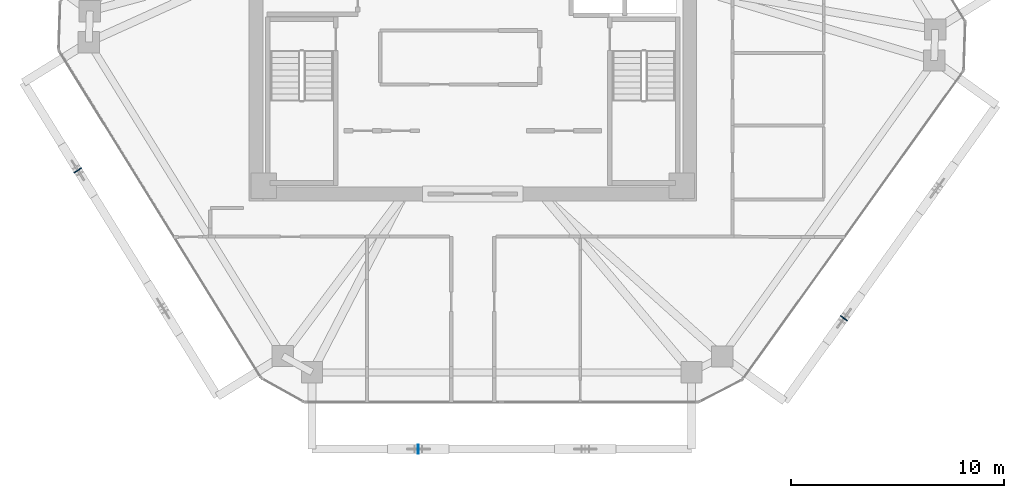
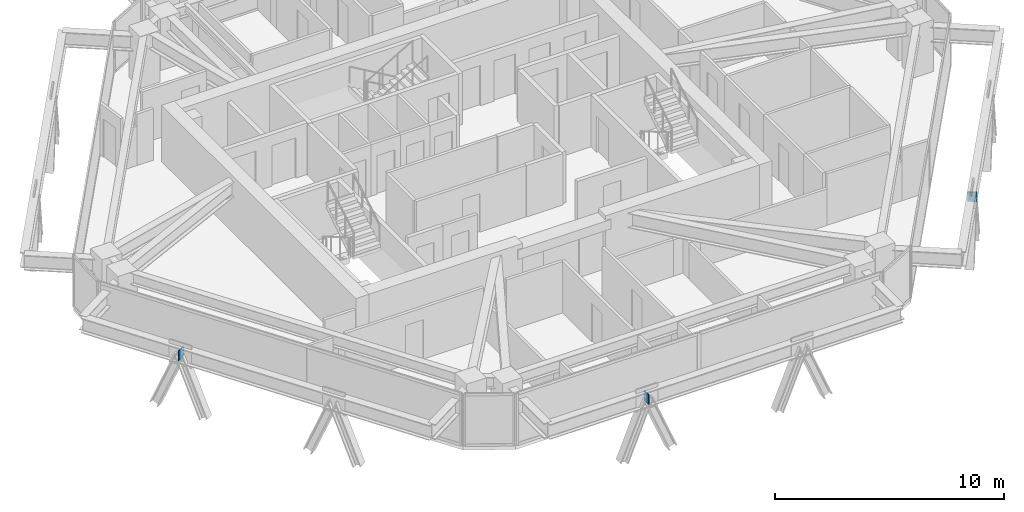
# One storey, part 8 of 15: 3 plates.
"""IFC4 building model written with IfcOpenShell, lengths in metres."""

import ifcopenshell
import ifcopenshell.guid

model = None  # the IFC model being written
_history = None  # IfcOwnerHistory: only IFC2X3 demands one
_inside = {}  # id of a spatial element -> (the spatial element, [elements in it])
_under = {}  # id of a project, library or spatial element -> (it, [spatial elements below it])
_declared = {}  # id of a project -> (the project, [libraries it declares])
_typed = {}  # id of a type object -> (the type object, [elements of that type])
_made_of = {}  # id of a material, layer set ... -> (it, [elements and type objects made of it])


def new_model(schema):
    """Start an empty IFC model of exactly this schema.

    Asked for "IFC4X3", IfcOpenShell would pick the latest addendum, in which some entities
    have other attributes; the version numbers below select the first issue.
    IFC2X3 requires an IfcOwnerHistory on every rooted entity: one is made here for all.
    """
    global model, _history
    if schema == "IFC4X3":
        model = ifcopenshell.file(schema_version=(4, 3, 0, 0))
    else:
        model = ifcopenshell.file(schema=schema)
    _inside.clear()
    _under.clear()
    _declared.clear()
    _typed.clear()
    _made_of.clear()
    _history = None
    if model.schema == "IFC2X3":
        org = make("IfcOrganization", Name="unknown")
        user = make(
            "IfcPersonAndOrganization",
            ThePerson=make("IfcPerson", FamilyName="unknown"),
            TheOrganization=org,
        )
        app = make(
            "IfcApplication",
            ApplicationDeveloper=org,
            Version="unknown",
            ApplicationFullName="unknown",
            ApplicationIdentifier="unknown",
        )
        _history = make(
            "IfcOwnerHistory",
            OwningUser=user,
            OwningApplication=app,
            ChangeAction="ADDED",
            CreationDate=0,
        )
    return model


def make(cls, **values):
    """One entity of the class cls with the attributes given. An attribute that is None is left unset."""
    return model.create_entity(
        cls, **{name: value for name, value in values.items() if value is not None}
    )


def rooted(cls, **values):
    """An entity with a GlobalId (a new one), such as an element, a storey or a relation."""
    return make(cls, GlobalId=ifcopenshell.guid.new(), OwnerHistory=_history, **values)


def si_unit(unit_type, name, prefix=None):
    """IfcSIUnit, for example si_unit("LENGTHUNIT", "METRE", prefix="MILLI")."""
    return make("IfcSIUnit", UnitType=unit_type, Prefix=prefix, Name=name)


def assignment(units):
    """IfcUnitAssignment: the units of a project."""
    return None if units is None else make("IfcUnitAssignment", Units=units)


def point(xyz):
    """IfcCartesianPoint."""
    return None if xyz is None else make("IfcCartesianPoint", Coordinates=xyz)


def direction(xyz):
    """IfcDirection."""
    return None if xyz is None else make("IfcDirection", DirectionRatios=xyz)


def frame(location, z_axis=None, x_axis=None):
    """IfcAxis2Placement3D, a coordinate frame: its origin and axes. An axis left out is left unset."""
    return make(
        "IfcAxis2Placement3D",
        Location=point(location),
        Axis=direction(z_axis),
        RefDirection=direction(x_axis),
    )


def frame_2d(location, x_axis=None):
    """IfcAxis2Placement2D, a coordinate frame in the plane: its origin and x axis."""
    return make(
        "IfcAxis2Placement2D", Location=point(location), RefDirection=direction(x_axis)
    )


def origin():
    """The frame at (0, 0, 0) with its axes left unset."""
    return frame((0.0, 0.0, 0.0))


def origin_2d():
    """The frame at (0, 0) in the plane with its x axis left unset."""
    return frame_2d((0.0, 0.0))


def place(relative_to, where):
    """IfcLocalPlacement: puts the frame where relative to a parent placement (None: the world)."""
    return make(
        "IfcLocalPlacement", PlacementRelTo=relative_to, RelativePlacement=where
    )


def context(
    kind, dimensions, precision=None, world=None, true_north=None, identifier=None
):
    """IfcGeometricRepresentationContext, for example the 3D "Model" context."""
    return make(
        "IfcGeometricRepresentationContext",
        ContextIdentifier=identifier,
        ContextType=kind,
        CoordinateSpaceDimension=dimensions,
        Precision=precision,
        WorldCoordinateSystem=world,
        TrueNorth=true_north,
    )


def subcontext(parent, identifier, kind, view, scale=None):
    """IfcGeometricRepresentationSubContext, for example "Body" below "Model"."""
    return make(
        "IfcGeometricRepresentationSubContext",
        ContextIdentifier=identifier,
        ContextType=kind,
        ParentContext=parent,
        TargetScale=scale,
        TargetView=view,
    )


def project(units=None, contexts=None):
    """IfcProject with its units and contexts."""
    return rooted(
        "IfcProject",
        Name="project",
        RepresentationContexts=contexts,
        UnitsInContext=assignment(units),
    )


def spatial(cls, under=None, at=None, **own):
    """A site, building, storey or space (cls), placed at a placement, below another one or the project."""
    s = rooted(cls, ObjectPlacement=at, **own)
    if under is not None:
        _under.setdefault(under.id(), (under, []))[1].append(s)
    return s


def profile(cls, at=None, kind="AREA", **sizes):
    """A parametric profile (cls). Its sizes go by their IFC names, for example OverallWidth=200.0."""
    return make(cls, ProfileType=kind, Position=at, **sizes)


def rectangle(**sizes):
    """IfcRectangleProfileDef."""
    return profile("IfcRectangleProfileDef", **sizes)


def extrude(swept, where, along, depth):
    """IfcExtrudedAreaSolid: the profile swept, set in the frame where, extruded along a direction by depth."""
    return make(
        "IfcExtrudedAreaSolid",
        SweptArea=swept,
        Position=where,
        ExtrudedDirection=direction(along),
        Depth=depth,
    )


def shape(context_of_items, identifier, shape_type, items):
    """IfcShapeRepresentation: the items that make up one representation, for example the "Body"."""
    return make(
        "IfcShapeRepresentation",
        ContextOfItems=context_of_items,
        RepresentationIdentifier=identifier,
        RepresentationType=shape_type,
        Items=items,
    )


def source(mapping_origin, context_of_items, identifier, shape_type, items):
    """IfcRepresentationMap: a shape defined once, which mapped items show again and again."""
    return make(
        "IfcRepresentationMap",
        MappingOrigin=mapping_origin,
        MappedRepresentation=shape(context_of_items, identifier, shape_type, items),
    )


def transform(
    local_origin,
    x_axis=None,
    y_axis=None,
    z_axis=None,
    scale=None,
    scale2=None,
    scale3=None,
    uniform=True,
):
    """IfcCartesianTransformationOperator3D, or its non-uniform kind. x_axis, y_axis, z_axis: its Axis1, 2, 3."""
    if uniform:
        return make(
            "IfcCartesianTransformationOperator3D",
            Axis1=direction(x_axis),
            Axis2=direction(y_axis),
            LocalOrigin=point(local_origin),
            Scale=scale,
            Axis3=direction(z_axis),
        )
    return make(
        "IfcCartesianTransformationOperator3DnonUniform",
        Axis1=direction(x_axis),
        Axis2=direction(y_axis),
        LocalOrigin=point(local_origin),
        Scale=scale,
        Axis3=direction(z_axis),
        Scale2=scale2,
        Scale3=scale3,
    )


def mapped(mapping_source, mapping_target):
    """IfcMappedItem: shows the shape of a source again, moved by a transform."""
    return make(
        "IfcMappedItem", MappingSource=mapping_source, MappingTarget=mapping_target
    )


def material(Name=None, Category=None):
    """IfcMaterial."""
    return make("IfcMaterial", Name=Name, Category=Category)


def layer(
    of_material, thickness, ventilated=None, Name=None, Category=None, Priority=None
):
    """IfcMaterialLayer: one layer of a wall or slab, of a material (None: an air gap)."""
    return make(
        "IfcMaterialLayer",
        Material=of_material,
        LayerThickness=thickness,
        IsVentilated=ventilated,
        Name=Name,
        Category=Category,
        Priority=Priority,
    )


def layer_set(layers, Name=None):
    """IfcMaterialLayerSet."""
    return make("IfcMaterialLayerSet", MaterialLayers=layers, LayerSetName=Name)


def made_of(thing, what):
    """Note that an element or type object is made of a material, layer set ...; save() writes the relation."""
    if what is not None:
        _made_of.setdefault(what.id(), (what, []))[1].append(thing)
    return thing


def type_object(cls, material=None, **own):
    """A type object (cls), such as IfcWallType, which elements share."""
    return made_of(rooted(cls, **own), material)


def type_shapes(of_type, sources):
    """Give a type object the sources (RepresentationMaps) that its elements show as mapped items."""
    of_type.RepresentationMaps = sources


def element(
    cls,
    number,
    at=None,
    inside=None,
    cuts=None,
    type_object=None,
    material=None,
    context=None,
    identifier="Body",
    shape_type=None,
    held_by="IfcProductDefinitionShape",
    body=None,
    shapes=None,
    **own,
):
    """One element of the class cls, such as IfcWall. Its Tag is "e" and its number.

    at: its placement. inside: the storey or other place that contains it. cuts: it is an
    opening in that element (IfcRelVoidsElement). A single representation is given by context,
    identifier, shape_type and body (its items); several are given by shapes. held_by: the class
    of the entity that holds the representations. save() writes the other relations.
    """
    e = rooted(cls, Tag="e%d" % number, ObjectPlacement=at, **own)
    if body is not None:
        shapes = [shape(context, identifier, shape_type, body)]
    if shapes is not None:
        e.Representation = make(held_by, Representations=shapes)
    if inside is not None:
        _inside.setdefault(inside.id(), (inside, []))[1].append(e)
    if cuts is not None:
        rooted(
            "IfcRelVoidsElement", RelatingBuildingElement=cuts, RelatedOpeningElement=e
        )
    if type_object is not None:
        _typed.setdefault(type_object.id(), (type_object, []))[1].append(e)
    return made_of(e, material)


def aggregate(whole, parts):
    """IfcRelAggregates: a whole, such as a stair, and the parts it consists of."""
    return rooted("IfcRelAggregates", RelatingObject=whole, RelatedObjects=parts)


def save(model, path):
    """Write the relations noted so far, then the file.

    IfcRelAggregates (storeys below a building ...), IfcRelContainedInSpatialStructure (elements
    in a storey), IfcRelDefinesByType, IfcRelAssociatesMaterial and IfcRelDeclares: one each for
    every whole, place, type object, material and project.
    """
    for whole, parts in _under.values():
        aggregate(whole, parts)
    for where, things in _inside.values():
        rooted(
            "IfcRelContainedInSpatialStructure",
            RelatedElements=things,
            RelatingStructure=where,
        )
    for kind, things in _typed.values():
        rooted("IfcRelDefinesByType", RelatedObjects=things, RelatingType=kind)
    for what, things in _made_of.values():
        rooted("IfcRelAssociatesMaterial", RelatedObjects=things, RelatingMaterial=what)
    for by, libraries in _declared.values():
        rooted("IfcRelDeclares", RelatingContext=by, RelatedDefinitions=libraries)
    model.write(path)


model = new_model("IFC4")

# Units and contexts
model_context = context("Model", 3, precision=1e-05, world=origin(), true_north=direction((0.0, 1.0)))
body_context = subcontext(model_context, "Body", "Model", "MODEL_VIEW")
ifc_project = project(units=[si_unit("LENGTHUNIT", "METRE"), si_unit("AREAUNIT", "SQUARE_METRE"), si_unit("VOLUMEUNIT", "CUBIC_METRE"), si_unit("PLANEANGLEUNIT", "RADIAN"), si_unit("MASSUNIT", "GRAM", prefix="KILO")], contexts=[model_context])

# Site, building, storey
site_placement = place(None, origin())
site = spatial("IfcSite", under=ifc_project, at=site_placement, CompositionType="ELEMENT")
building_placement = place(site_placement, origin())
building = spatial("IfcBuilding", under=site, at=building_placement, Name="Durnholm Broadcast Tower", CompositionType="ELEMENT")
storey_placement = place(building_placement, frame((0.0, 0.0, 206.199951171875)))
storey = spatial("IfcBuildingStorey", under=building, at=storey_placement, Name="L57", CompositionType="ELEMENT", Elevation=206.199951171875)

# Plates
ifc_material = material(Name="Steel ASTM A572 Grade 50", Category="steel")
ifc_layer = layer(ifc_material, 0.044921875)
ifc_layer_set = layer_set([ifc_layer], Name="Steel ASTM A572 Grade 50")
plate_type = type_object("IfcPlateType", Name="PLT-KN-STIF", PredefinedType="SHEET", material=ifc_layer_set)
shared_shape = source(origin(), body_context, "Body", "SweptSolid", [
    extrude(rectangle(XDim=0.044921875, YDim=0.419921875, at=origin_2d()), origin(), (0.0, 0.0, 1.0), 0.52001953125),
])
type_shapes(plate_type, [shared_shape])
for number, where, z_axis, x_axis, name in (
    (1, (-2.556640625, -20.14208984375, 1.74853515625), (0.0, 0.0, 1.0), (1.0, 0.0, 0.0), "L57 welded diagrid node stiffener plate F1"),
    (2, (17.40966796875, -14.009521484375, 1.74853515625), (0.0, 0.0, 1.0), (0.582122970157, 0.813100761047, 0.0), "L57 welded diagrid node stiffener plate F2"),
    (3, (-18.5244140625, -7.07080078125, 1.74853515625), (0.0, 0.0, 1.0), (0.525768608156, -0.850627633385, 0.0), "L57 welded diagrid node stiffener plate F6"),
):
    element("IfcPlate", number, at=place(storey_placement, frame(where, z_axis=z_axis, x_axis=x_axis)), inside=storey, type_object=plate_type, Name=name, PredefinedType="SHEET", context=body_context, shape_type="MappedRepresentation", body=[
        mapped(shared_shape, transform((0.0, 0.0, 0.0), x_axis=(1.0, 0.0, 0.0), y_axis=(0.0, 1.0, 0.0), z_axis=(0.0, 0.0, 1.0), scale=1.0)),
    ])

save(model, "model.ifc")
